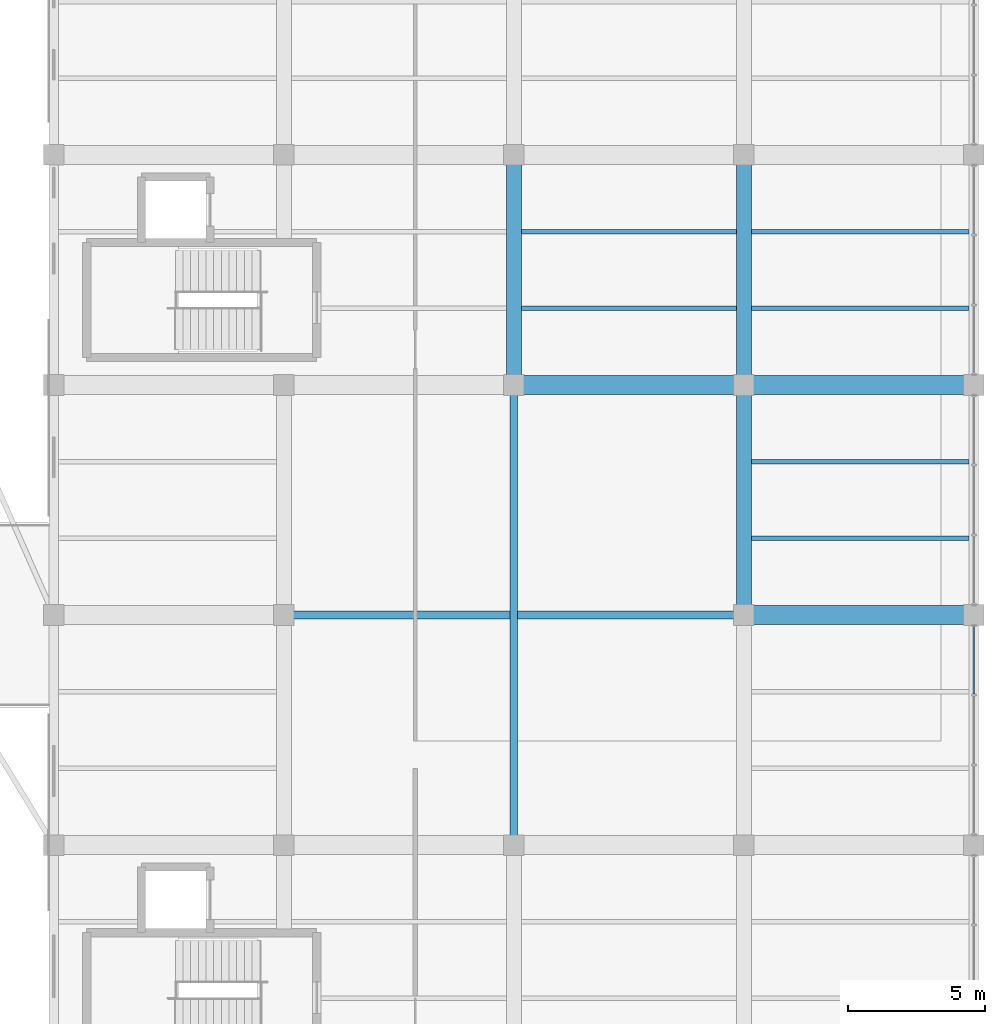
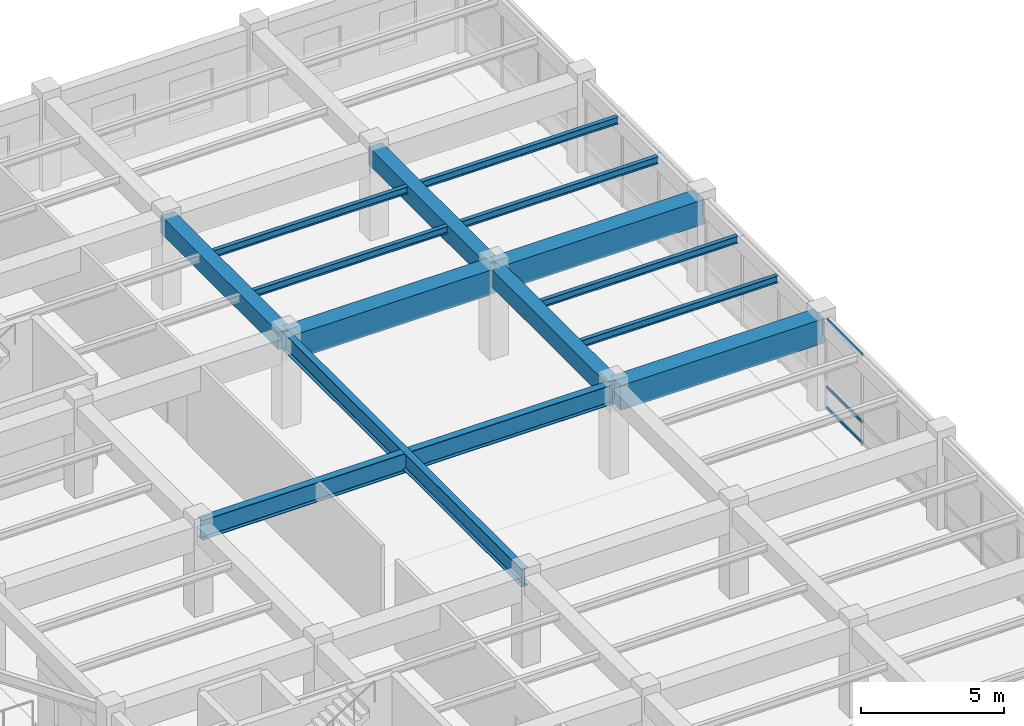
# One storey, part 103 of 152: 14 beams, 3 members, 1 element without a shape of its own.
"""IFC4 building model written with IfcOpenShell, lengths in metres."""

from ifc_helpers import new_model, si_unit, direction, frame, origin, origin_2d, place, context, subcontext, project, spatial, rectangle, hollow_rectangle, i_section, extrude, material, material_profile, profile_set, type_object, element, aggregate, save


model = new_model("IFC4")

# Units and contexts
model_context = context("Model", 3, precision=1e-05, world=origin(), true_north=direction((0.0, 1.0)))
body_context = subcontext(model_context, "Body", "Model", "MODEL_VIEW")
ifc_project = project(units=[si_unit("LENGTHUNIT", "METRE"), si_unit("AREAUNIT", "SQUARE_METRE"), si_unit("VOLUMEUNIT", "CUBIC_METRE"), si_unit("PLANEANGLEUNIT", "RADIAN"), si_unit("MASSUNIT", "GRAM", prefix="KILO"), si_unit("THERMODYNAMICTEMPERATUREUNIT", "KELVIN"), si_unit("POWERUNIT", "WATT")], contexts=[model_context])

# Site, building, storey
site_placement = place(None, origin())
site = spatial("IfcSite", under=ifc_project, at=site_placement, CompositionType="ELEMENT")
building_placement = place(site_placement, origin())
building = spatial("IfcBuilding", under=site, at=building_placement, Name="Darbajah Civic Hall", CompositionType="ELEMENT")
storey_placement = place(building_placement, frame((0.0, 0.0, 5.39990234375)))
storey = spatial("IfcBuildingStorey", under=building, at=storey_placement, Name="L01", CompositionType="ELEMENT", Elevation=5.39990234375)

# Curtain wall, members
ifc_material_1 = material(Name="Anodised Bronze Aluminium and Low-E Glazing", Category="aluminium")
curtain_wall_type = type_object("IfcCurtainWallType", Name="Unitised Curtain Wall CW-96 7600x3850", PredefinedType="USERDEFINED", material=ifc_material_1)
curtain_wall_placement = place(storey_placement, origin())
curtain_wall = element("IfcCurtainWall", 1, at=curtain_wall_placement, inside=storey, type_object=curtain_wall_type, Name="L01 unitised curtain wall CW-V4-L01-S1-B2", ObjectType="UNITISED CURTAIN WALL", PredefinedType="USERDEFINED")
ifc_material_2 = material(Name="Anodised Bronze Aluminium", Category="aluminium")
ifc_material_profile_1 = material_profile(ifc_material_2, hollow_rectangle(XDim=0.06005859375, YDim=0.1201171875, WallThickness=0.003173828125, at=origin_2d()), Name="ALU TRANSOM 60x120")
ifc_profile_set_1 = profile_set([ifc_material_profile_1], Name="Anodised Bronze Aluminium")
member_type = type_object("IfcMemberType", Name="ALU TRANSOM 60x120", PredefinedType="USERDEFINED", material=ifc_profile_set_1)
member_1_placement = place(storey_placement, frame((178.199951171875, 78.709228515625, 0.06005859375), z_axis=(0.0, 1.0, 0.0), x_axis=(-1.0, 0.0, 0.0)))
member_1 = element("IfcMember", 2, at=member_1_placement, type_object=member_type, Name="CW-V4-L01-S1-B2 transom 3.1", ObjectType="TRANSOM", PredefinedType="USERDEFINED", context=body_context, shape_type="SweptSolid", body=[
    extrude(hollow_rectangle(XDim=0.06005859375, YDim=0.1201171875, WallThickness=0.003173828125, at=origin_2d()), origin(), (0.0, 0.0, 1.0), 2.478759765625),
])
member_2_placement = place(storey_placement, frame((178.199951171875, 78.709228515625, 0.9501953125), z_axis=(0.0, 1.0, 0.0), x_axis=(-1.0, 0.0, 0.0)))
member_2 = element("IfcMember", 3, at=member_2_placement, type_object=member_type, Name="CW-V4-L01-S1-B2 transom 3.2", ObjectType="TRANSOM", PredefinedType="USERDEFINED", context=body_context, shape_type="SweptSolid", body=[
    extrude(hollow_rectangle(XDim=0.06005859375, YDim=0.1201171875, WallThickness=0.003173828125, at=origin_2d()), origin(), (0.0, 0.0, 1.0), 2.478759765625),
])
member_3_placement = place(storey_placement, frame((178.199951171875, 78.709228515625, 3.800048828125), z_axis=(0.0, 1.0, 0.0), x_axis=(-1.0, 0.0, 0.0)))
member_3 = element("IfcMember", 4, at=member_3_placement, type_object=member_type, Name="CW-V4-L01-S1-B2 transom 3.3", ObjectType="TRANSOM", PredefinedType="USERDEFINED", context=body_context, shape_type="SweptSolid", body=[
    extrude(hollow_rectangle(XDim=0.06005859375, YDim=0.1201171875, WallThickness=0.003173828125, at=origin_2d()), origin(), (0.0, 0.0, 1.0), 2.478759765625),
])
aggregate(curtain_wall, [member_1, member_2, member_3])

# Beams
ifc_material_3 = material(Name="Concrete C45/55", Category="concrete")
ifc_material_profile_2 = material_profile(ifc_material_3, rectangle(XDim=0.550048828125, YDim=0.75, at=origin_2d()), Name="RC BEAM 550x750")
ifc_profile_set_2 = profile_set([ifc_material_profile_2], Name="Concrete C45/55")
beam_type_1 = type_object("IfcBeamType", Name="RC BEAM 550x750", PredefinedType="BEAM", material=ifc_profile_set_2)
for number, where, z_axis, x_axis, name in (
    (5, (161.39990234375, 90.080078125, 3.485107421875), (0.0, 1.0, 0.0), (-1.0, 0.0, 0.0), "L01 beam BM-5575"),
    (6, (169.800048828125, 81.679931640625, 3.485107421875), (0.0, 1.0, 0.0), (-1.0, 0.0, 0.0), "L01 beam BM-5575"),
    (7, (169.800048828125, 90.080078125, 3.485107421875), (0.0, 1.0, 0.0), (-1.0, 0.0, 0.0), "L01 beam BM-5575"),
):
    element("IfcBeam", number, at=place(storey_placement, frame(where, z_axis=z_axis, x_axis=x_axis)), inside=storey, type_object=beam_type_1, Name=name, PredefinedType="BEAM", context=body_context, shape_type="SweptSolid", body=[
        extrude(rectangle(XDim=0.550048828125, YDim=0.75, at=origin_2d()), origin(), (0.0, 0.0, 1.0), 8.239990234375),
    ])
ifc_material_4 = material(Name="Concrete C50/60", Category="concrete")
ifc_material_profile_3 = material_profile(ifc_material_4, rectangle(XDim=0.699951171875, YDim=1.050048828125, at=origin_2d()), Name="RC GIRDER 700x1050")
ifc_profile_set_3 = profile_set([ifc_material_profile_3], Name="Concrete C50/60")
beam_type_2 = type_object("IfcBeamType", Name="RC GIRDER 700x1050", PredefinedType="BEAM", material=ifc_profile_set_3)
beam_1_placement = place(storey_placement, frame((169.8798828125, 81.60009765625, 3.335205078125), z_axis=(1.0, 0.0, 0.0), x_axis=(0.0, 1.0, 0.0)))
element("IfcBeam", 8, at=beam_1_placement, inside=storey, type_object=beam_type_2, Name="L01 beam BG-7010", PredefinedType="BEAM", context=body_context, shape_type="SweptSolid", body=[
    extrude(rectangle(XDim=0.699951171875, YDim=1.050048828125, at=origin_2d()), origin(), (0.0, 0.0, 1.0), 8.240234375),
])
beam_2_placement = place(storey_placement, frame((161.47998046875, 90.0, 3.335205078125), z_axis=(1.0, 0.0, 0.0), x_axis=(0.0, 1.0, 0.0)))
element("IfcBeam", 9, at=beam_2_placement, inside=storey, type_object=beam_type_2, Name="L01 beam BG-7010", PredefinedType="BEAM", context=body_context, shape_type="SweptSolid", body=[
    extrude(rectangle(XDim=0.699951171875, YDim=1.050048828125, at=origin_2d()), origin(), (0.0, 0.0, 1.0), 8.239990234375),
])
beam_3_placement = place(storey_placement, frame((169.8798828125, 90.0, 3.335205078125), z_axis=(1.0, 0.0, 0.0), x_axis=(0.0, 1.0, 0.0)))
element("IfcBeam", 10, at=beam_3_placement, inside=storey, type_object=beam_type_2, Name="L01 beam BG-7010", PredefinedType="BEAM", context=body_context, shape_type="SweptSolid", body=[
    extrude(rectangle(XDim=0.699951171875, YDim=1.050048828125, at=origin_2d()), origin(), (0.0, 0.0, 1.0), 8.240234375),
])
ifc_material_5 = material(Name="Steel S355JR", Category="steel")
ifc_material_profile_4 = material_profile(ifc_material_5, i_section(OverallWidth=0.165771484375, OverallDepth=0.306640625, WebThickness=0.006591796875, FlangeThickness=0.01171875, FilletRadius=0.0087890625, at=origin_2d()), Name="UB 305x165x46")
ifc_profile_set_4 = profile_set([ifc_material_profile_4], Name="Steel S355JR")
beam_type_3 = type_object("IfcBeamType", Name="UB 305x165x46", PredefinedType="JOIST", material=ifc_profile_set_4)
for number, where, z_axis, x_axis, name in (
    (11, (161.675048828125, 92.800048828125, 3.706787109375), (1.0, 0.0, 0.0), (0.0, 1.0, 0.0), "L01 beam SJ-305"),
    (12, (161.675048828125, 95.60009765625, 3.706787109375), (1.0, 0.0, 0.0), (0.0, 1.0, 0.0), "L01 beam SJ-305"),
):
    element("IfcBeam", number, at=place(storey_placement, frame(where, z_axis=z_axis, x_axis=x_axis)), inside=storey, type_object=beam_type_3, Name=name, PredefinedType="JOIST", context=body_context, shape_type="SweptSolid", body=[
        extrude(i_section(OverallWidth=0.165771484375, OverallDepth=0.306640625, WebThickness=0.006591796875, FlangeThickness=0.01171875, FilletRadius=0.0087890625, at=origin_2d()), origin(), (0.0, 0.0, 1.0), 7.849853515625),
    ])
for number, where, z_axis, x_axis, name in (
    (13, (170.074951171875, 84.39990234375, 3.706787109375), (1.0, 0.0, 0.0), (0.0, 1.0, 0.0), "L01 beam SJ-305"),
    (14, (170.074951171875, 87.199951171875, 3.706787109375), (1.0, 0.0, 0.0), (0.0, 1.0, 0.0), "L01 beam SJ-305"),
    (15, (170.074951171875, 92.800048828125, 3.706787109375), (1.0, 0.0, 0.0), (0.0, 1.0, 0.0), "L01 beam SJ-305"),
    (16, (170.074951171875, 95.60009765625, 3.706787109375), (1.0, 0.0, 0.0), (0.0, 1.0, 0.0), "L01 beam SJ-305"),
):
    element("IfcBeam", number, at=place(storey_placement, frame(where, z_axis=z_axis, x_axis=x_axis)), inside=storey, type_object=beam_type_3, Name=name, PredefinedType="JOIST", context=body_context, shape_type="SweptSolid", body=[
        extrude(i_section(OverallWidth=0.165771484375, OverallDepth=0.306640625, WebThickness=0.006591796875, FlangeThickness=0.01171875, FilletRadius=0.0087890625, at=origin_2d()), origin(), (0.0, 0.0, 1.0), 7.949951171875),
    ])
ifc_material_profile_5 = material_profile(ifc_material_5, i_section(OverallWidth=0.2666015625, OverallDepth=0.76220703125, WebThickness=0.014404296875, FlangeThickness=0.021484375, FilletRadius=0.0166015625, at=origin_2d()), Name="UB 762x267x173")
ifc_profile_set_5 = profile_set([ifc_material_profile_5], Name="Steel S355JR")
beam_type_4 = type_object("IfcBeamType", Name="UB 762x267x173", PredefinedType="BEAM", material=ifc_profile_set_5)
beam_4_placement = place(storey_placement, frame((161.39990234375, 73.280029296875, 3.47900390625), z_axis=(0.0, 1.0, 0.0), x_axis=(-1.0, 0.0, 0.0)))
element("IfcBeam", 17, at=beam_4_placement, inside=storey, type_object=beam_type_4, Name="L01 beam SB-762", PredefinedType="BEAM", context=body_context, shape_type="SweptSolid", body=[
    extrude(i_section(OverallWidth=0.2666015625, OverallDepth=0.76220703125, WebThickness=0.014404296875, FlangeThickness=0.021484375, FilletRadius=0.0166015625, at=origin_2d()), origin(), (0.0, 0.0, 1.0), 16.699951171875),
])
ifc_material_profile_6 = material_profile(ifc_material_5, i_section(OverallWidth=0.29248046875, OverallDepth=0.8408203125, WebThickness=0.0146484375, FlangeThickness=0.021728515625, FilletRadius=0.017822265625, at=origin_2d()), Name="UB 838x292x194")
ifc_profile_set_6 = profile_set([ifc_material_profile_6], Name="Steel S355JR")
beam_type_5 = type_object("IfcBeamType", Name="UB 838x292x194", PredefinedType="BEAM", material=ifc_profile_set_6)
beam_5_placement = place(storey_placement, frame((153.080078125, 81.60009765625, 3.439697265625), z_axis=(1.0, 0.0, 0.0), x_axis=(0.0, 1.0, 0.0)))
element("IfcBeam", 18, at=beam_5_placement, inside=storey, type_object=beam_type_5, Name="L01 beam SB-838", PredefinedType="BEAM", context=body_context, shape_type="SweptSolid", body=[
    extrude(i_section(OverallWidth=0.29248046875, OverallDepth=0.8408203125, WebThickness=0.0146484375, FlangeThickness=0.021728515625, FilletRadius=0.017822265625, at=origin_2d()), origin(), (0.0, 0.0, 1.0), 16.639892578125),
])

save(model, "model.ifc")
